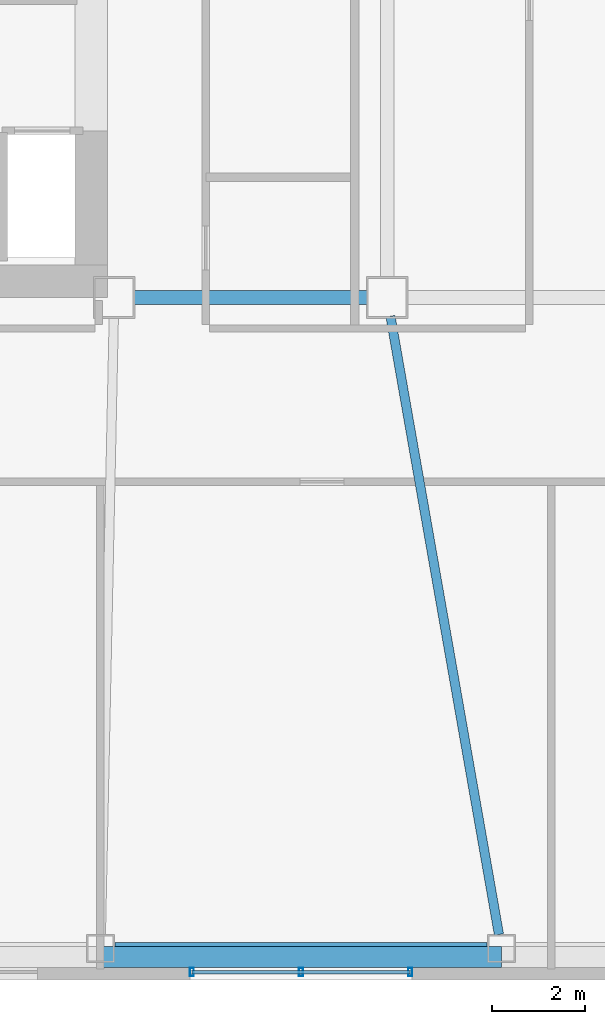
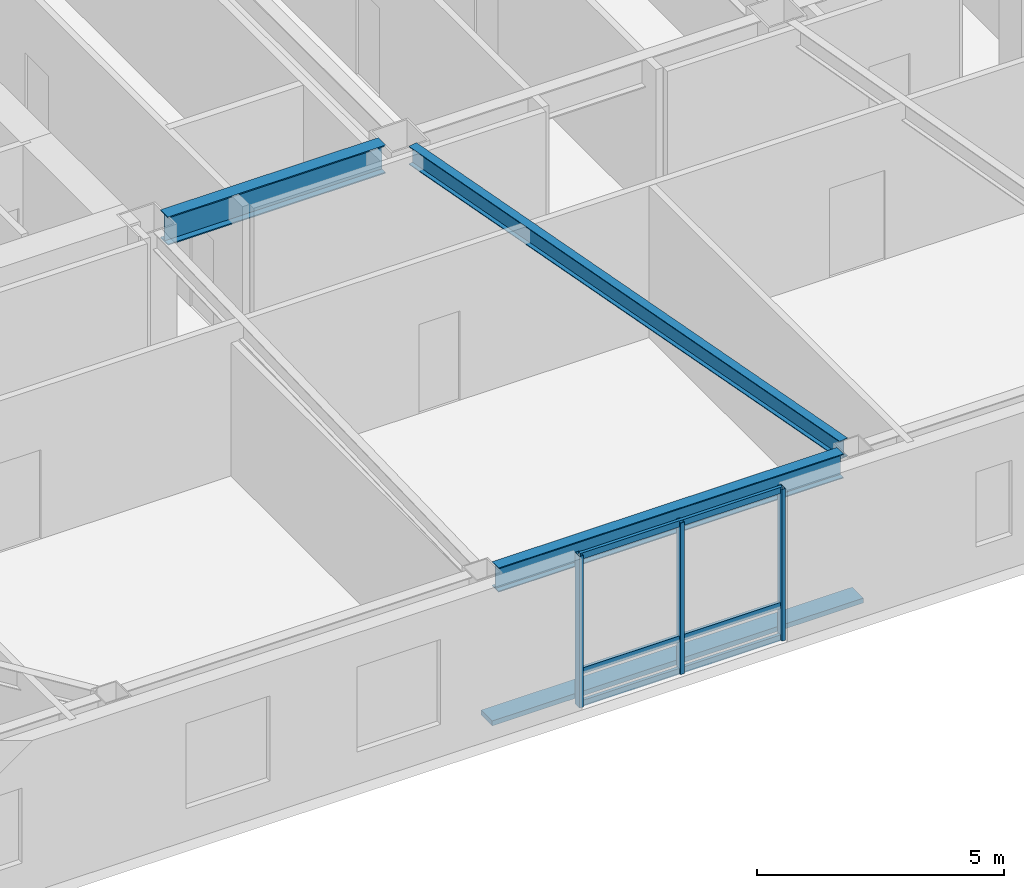
# One storey, part 4 of 18: 7 members, 3 beams, 1 element without a shape of its own.
"""IFC4 building model written with IfcOpenShell, lengths in metres."""

from ifc_helpers import new_model, si_unit, direction, frame, origin, origin_2d, place, context, subcontext, project, spatial, rectangle, hollow_rectangle, i_section, extrude, material, layer, layer_set, material_profile, profile_set, type_object, element, aggregate, save


model = new_model("IFC4")

# Units and contexts
model_context = context("Model", 3, precision=1e-05, world=origin(), true_north=direction((0.0, 1.0)))
body_context = subcontext(model_context, "Body", "Model", "MODEL_VIEW")
ifc_project = project(units=[si_unit("LENGTHUNIT", "METRE"), si_unit("AREAUNIT", "SQUARE_METRE"), si_unit("VOLUMEUNIT", "CUBIC_METRE"), si_unit("PLANEANGLEUNIT", "RADIAN"), si_unit("MASSUNIT", "GRAM", prefix="KILO")], contexts=[model_context])

# Site, building, storey
site_placement = place(None, origin())
site = spatial("IfcSite", under=ifc_project, at=site_placement, CompositionType="ELEMENT")
building_placement = place(site_placement, origin())
building = spatial("IfcBuilding", under=site, at=building_placement, Name="Tavrogorsk Clinical Tower", CompositionType="ELEMENT")
storey_placement = place(building_placement, frame((0.0, 0.0, 180.199951171875)))
storey = spatial("IfcBuildingStorey", under=building, at=storey_placement, Name="L41", CompositionType="ELEMENT", Elevation=180.199951171875)

# Member
ifc_material_1 = material(Name="Anodised aluminium alloy AW-6063", Category="aluminium")
ifc_material_profile_1 = material_profile(ifc_material_1, rectangle(XDim=0.449951171875, YDim=0.1201171875, at=origin_2d()), Name="ALU-SUNSHADE-450x120")
ifc_profile_set_1 = profile_set([ifc_material_profile_1], Name="Anodised aluminium alloy AW-6063")
member_type_1 = type_object("IfcMemberType", Name="ChicagoSunshade_450x120", PredefinedType="USERDEFINED", material=ifc_profile_set_1)
member_1_placement = place(storey_placement, frame((-10.59423828125, -20.60009765625, 0.179931640625), z_axis=(1.0, 0.0, 0.0), x_axis=(0.0, 1.0, 0.0)))
element("IfcMember", 1, at=member_1_placement, inside=storey, type_object=member_type_1, Name="L41 South Aluminium Sunshade S3", ObjectType="SUNSHADE", PredefinedType="USERDEFINED", context=body_context, shape_type="SweptSolid", body=[
    extrude(rectangle(XDim=0.449951171875, YDim=0.1201171875, at=origin_2d()), origin(), (0.0, 0.0, 1.0), 8.662841796875),
])

# Curtain wall, members
ifc_material_2 = material(Name="Anodised aluminium and triple IGU glazing", Category="aluminium")
ifc_layer = layer(ifc_material_2, 0.179931640625)
ifc_layer_set = layer_set([ifc_layer], Name="Anodised aluminium and triple IGU glazing")
curtain_wall_type = type_object("IfcCurtainWallType", Name="CW3_SouthSlot", PredefinedType="NOTDEFINED", material=ifc_layer_set)
curtain_wall_placement = place(storey_placement, origin())
curtain_wall = element("IfcCurtainWall", 2, at=curtain_wall_placement, inside=storey, type_object=curtain_wall_type, Name="L41 Curtain Wall CW-L41-S-SLOT-1", PredefinedType="NOTDEFINED")
ifc_material_3 = material(Name="Anodised aluminium alloy AW-6060", Category="aluminium")
ifc_material_profile_2 = material_profile(ifc_material_3, hollow_rectangle(XDim=0.090087890625, YDim=0.179931640625, WallThickness=0.00634765625, at=origin_2d()), Name="RHS-180x90x6.3")
ifc_profile_set_2 = profile_set([ifc_material_profile_2], Name="Anodised aluminium alloy AW-6060")
member_type_2 = type_object("IfcMemberType", Name="CwMullion_180x90", PredefinedType="MULLION", material=ifc_profile_set_2)
member_2_placement = place(storey_placement, frame((-8.621826171875, -20.929931640625, 0.0), z_axis=(0.0, 0.0, 1.0), x_axis=(1.0, 0.0, 0.0)))
member_2 = element("IfcMember", 3, at=member_2_placement, type_object=member_type_2, Name="CW-L41-S-SLOT-1 Mullion 1", PredefinedType="MULLION", context=body_context, shape_type="SweptSolid", body=[
    extrude(hollow_rectangle(XDim=0.090087890625, YDim=0.179931640625, WallThickness=0.00634765625, at=origin_2d()), origin(), (0.0, 0.0, 1.0), 3.739990234375),
])
member_3_placement = place(storey_placement, frame((-6.262939453125, -20.929931640625, 0.0), z_axis=(0.0, 0.0, 1.0), x_axis=(1.0, 0.0, 0.0)))
member_3 = element("IfcMember", 4, at=member_3_placement, type_object=member_type_2, Name="CW-L41-S-SLOT-1 Mullion 2", PredefinedType="MULLION", context=body_context, shape_type="SweptSolid", body=[
    extrude(hollow_rectangle(XDim=0.090087890625, YDim=0.179931640625, WallThickness=0.00634765625, at=origin_2d()), origin(), (0.0, 0.0, 1.0), 3.739990234375),
])
member_4_placement = place(storey_placement, frame((-3.90380859375, -20.929931640625, 0.0), z_axis=(0.0, 0.0, 1.0), x_axis=(1.0, 0.0, 0.0)))
member_4 = element("IfcMember", 5, at=member_4_placement, type_object=member_type_2, Name="CW-L41-S-SLOT-1 Mullion 3", PredefinedType="MULLION", context=body_context, shape_type="SweptSolid", body=[
    extrude(hollow_rectangle(XDim=0.090087890625, YDim=0.179931640625, WallThickness=0.00634765625, at=origin_2d()), origin(), (0.0, 0.0, 1.0), 3.739990234375),
])
ifc_material_4 = material(Name="Anodised aluminium alloy AW-6060", Category="aluminium")
ifc_material_profile_3 = material_profile(ifc_material_4, hollow_rectangle(XDim=0.074951171875, YDim=0.14990234375, WallThickness=0.0048828125, at=origin_2d()), Name="RHS-150x75x5")
ifc_profile_set_3 = profile_set([ifc_material_profile_3], Name="Anodised aluminium alloy AW-6060")
member_type_3 = type_object("IfcMemberType", Name="CwTransom_150x75", PredefinedType="USERDEFINED", material=ifc_profile_set_3)
member_5_placement = place(storey_placement, frame((-8.621826171875, -20.929931640625, 0.050048828125), z_axis=(1.0, 0.0, 0.0), x_axis=(0.0, 1.0, 0.0)))
member_5 = element("IfcMember", 6, at=member_5_placement, type_object=member_type_3, Name="CW-L41-S-SLOT-1 Transom 1", ObjectType="TRANSOM", PredefinedType="USERDEFINED", context=body_context, shape_type="SweptSolid", body=[
    extrude(hollow_rectangle(XDim=0.074951171875, YDim=0.14990234375, WallThickness=0.0048828125, at=origin_2d()), origin(), (0.0, 0.0, 1.0), 4.718017578125),
])
member_6_placement = place(storey_placement, frame((-8.621826171875, -20.929931640625, 0.85009765625), z_axis=(1.0, 0.0, 0.0), x_axis=(0.0, 1.0, 0.0)))
member_6 = element("IfcMember", 7, at=member_6_placement, type_object=member_type_3, Name="CW-L41-S-SLOT-1 Transom 2", ObjectType="TRANSOM", PredefinedType="USERDEFINED", context=body_context, shape_type="SweptSolid", body=[
    extrude(hollow_rectangle(XDim=0.074951171875, YDim=0.14990234375, WallThickness=0.0048828125, at=origin_2d()), origin(), (0.0, 0.0, 1.0), 4.718017578125),
])
member_7_placement = place(storey_placement, frame((-8.621826171875, -20.929931640625, 3.68994140625), z_axis=(1.0, 0.0, 0.0), x_axis=(0.0, 1.0, 0.0)))
member_7 = element("IfcMember", 8, at=member_7_placement, type_object=member_type_3, Name="CW-L41-S-SLOT-1 Transom 3", ObjectType="TRANSOM", PredefinedType="USERDEFINED", context=body_context, shape_type="SweptSolid", body=[
    extrude(hollow_rectangle(XDim=0.074951171875, YDim=0.14990234375, WallThickness=0.0048828125, at=origin_2d()), origin(), (0.0, 0.0, 1.0), 4.718017578125),
])
aggregate(curtain_wall, [member_2, member_3, member_4, member_5, member_6, member_7])

# Beams
ifc_material_5 = material(Name="Structural steel S355", Category="steel")
ifc_material_profile_4 = material_profile(ifc_material_5, i_section(OverallWidth=0.199951171875, OverallDepth=0.449951171875, WebThickness=0.011474609375, FlangeThickness=0.01806640625, at=origin_2d()), Name="B-450x200x11.5x18")
ifc_profile_set_4 = profile_set([ifc_material_profile_4], Name="Structural steel S355")
beam_type_1 = type_object("IfcBeamType", Name="FloorBeam_B450", PredefinedType="BEAM", material=ifc_profile_set_4)
beam_1_placement = place(storey_placement, frame((-4.3291015625, -6.75390625, 3.51513671875), z_axis=(0.172808972689, -0.984955358866, 0.0), x_axis=(0.984955358866, 0.172808972689, 0.0)))
element("IfcBeam", 9, at=beam_1_placement, inside=storey, type_object=beam_type_1, Name="L41 Radial Floor Beam S4", PredefinedType="BEAM", context=body_context, shape_type="SweptSolid", body=[
    extrude(i_section(OverallWidth=0.199951171875, OverallDepth=0.449951171875, WebThickness=0.011474609375, FlangeThickness=0.01806640625, at=origin_2d()), origin(), (0.0, 0.0, 1.0), 13.56689453125),
])
ifc_material_6 = material(Name="Structural steel S390", Category="steel")
ifc_material_profile_5 = material_profile(ifc_material_6, i_section(OverallWidth=0.300048828125, OverallDepth=0.699951171875, WebThickness=0.01708984375, FlangeThickness=0.028076171875, at=origin_2d()), Name="B-700x300x17x28")
ifc_profile_set_5 = profile_set([ifc_material_profile_5], Name="Structural steel S390")
beam_type_2 = type_object("IfcBeamType", Name="PrimaryGirder_B700", PredefinedType="USERDEFINED", material=ifc_profile_set_5)
beam_2_placement = place(storey_placement, frame((-9.889892578125, -6.35009765625, 3.39013671875), z_axis=(1.0, 0.0, 0.0), x_axis=(0.0, 1.0, 0.0)))
element("IfcBeam", 10, at=beam_2_placement, inside=storey, type_object=beam_type_2, Name="L41 Primary Spine Girder MG-01", ObjectType="GIRDER", PredefinedType="USERDEFINED", context=body_context, shape_type="SweptSolid", body=[
    extrude(i_section(OverallWidth=0.300048828125, OverallDepth=0.699951171875, WebThickness=0.01708984375, FlangeThickness=0.028076171875, at=origin_2d()), origin(), (0.0, 0.0, 1.0), 5.079833984375),
])
ifc_material_7 = material(Name="Structural steel S390", Category="steel")
ifc_material_profile_6 = material_profile(ifc_material_7, i_section(OverallWidth=0.260009765625, OverallDepth=0.60009765625, WebThickness=0.014892578125, FlangeThickness=0.02392578125, at=origin_2d()), Name="B-600x260x15x24")
ifc_profile_set_6 = profile_set([ifc_material_profile_6], Name="Structural steel S390")
beam_type_3 = type_object("IfcBeamType", Name="SpandrelBeam_B600", PredefinedType="SPANDREL", material=ifc_profile_set_6)
beam_3_placement = place(storey_placement, frame((-10.286376953125, -20.419921875, 3.43994140625), z_axis=(1.0, 0.0, 0.0), x_axis=(0.0, 1.0, 0.0)))
element("IfcBeam", 11, at=beam_3_placement, inside=storey, type_object=beam_type_3, Name="L41 Perimeter Spandrel S3-S4", PredefinedType="SPANDREL", context=body_context, shape_type="SweptSolid", body=[
    extrude(i_section(OverallWidth=0.260009765625, OverallDepth=0.60009765625, WebThickness=0.014892578125, FlangeThickness=0.02392578125, at=origin_2d()), origin(), (0.0, 0.0, 1.0), 8.046875),
])

save(model, "model.ifc")
